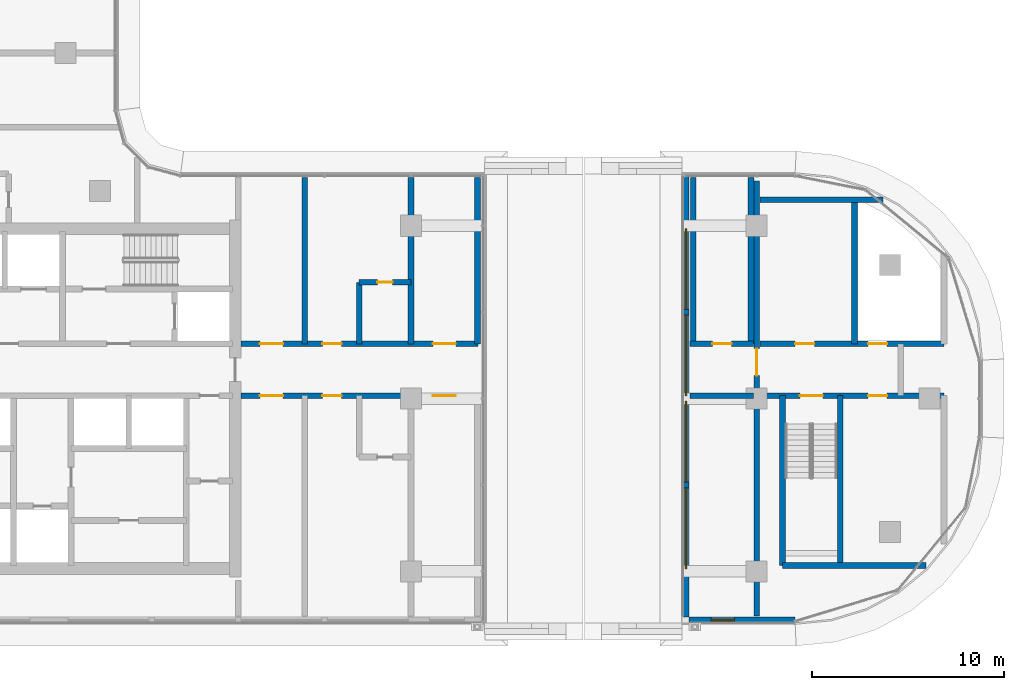
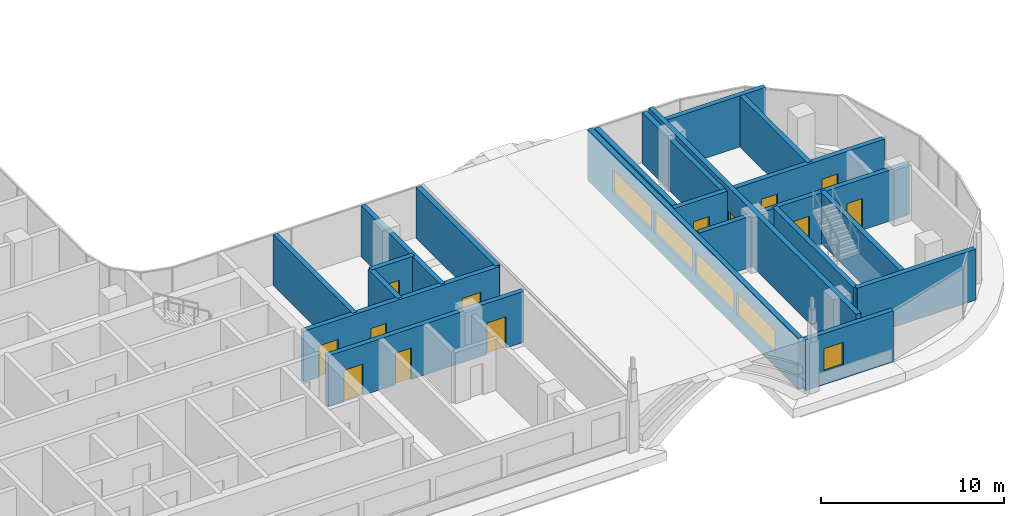
# One storey, part 12 of 23: 21 walls, 13 doors, 5 windows, 18 openings.
"""IFC4 building model written with IfcOpenShell, lengths in metres."""

from ifc_helpers import new_model, si_unit, direction, frame, frame_2d, origin, place, context, subcontext, project, spatial, rectangle, extrude, material, layer, layer_set, type_object, element, fill, save


model = new_model("IFC4")

# Units and contexts
model_context = context("Model", 3, precision=1e-05, world=origin(), true_north=direction((0.0, 1.0)))
body_context = subcontext(model_context, "Body", "Model", "MODEL_VIEW")
ifc_project = project(units=[si_unit("LENGTHUNIT", "METRE"), si_unit("AREAUNIT", "SQUARE_METRE"), si_unit("VOLUMEUNIT", "CUBIC_METRE"), si_unit("PLANEANGLEUNIT", "RADIAN"), si_unit("MASSUNIT", "GRAM", prefix="KILO")], contexts=[model_context])

# Site, building, storey
site_placement = place(None, origin())
site = spatial("IfcSite", under=ifc_project, at=site_placement, CompositionType="ELEMENT")
building_placement = place(site_placement, origin())
building = spatial("IfcBuilding", under=site, at=building_placement, Name="Ogive Portal Towers", CompositionType="ELEMENT")
storey_placement = place(building_placement, frame((0.0, 0.0, 179.199951171875)))
storey = spatial("IfcBuildingStorey", under=building, at=storey_placement, Name="L44", CompositionType="ELEMENT", Elevation=179.199951171875)

# Wall, openings, windows
ifc_material_1 = material(Name="Limestone cladding on lightweight block wall", Category="masonry")
ifc_layer_1 = layer(ifc_material_1, 0.300048828125)
ifc_layer_set_1 = layer_set([ifc_layer_1], Name="EXTERNAL WALL 300 STONE")
wall_type_1 = type_object("IfcWallType", Name="EXTERNAL WALL 300 STONE", PredefinedType="SOLIDWALL", material=ifc_layer_set_1)
wall_1_placement = place(storey_placement, frame((81.820068359375, 42.10009765625, 0.0), z_axis=(0.0, 0.0, 1.0), x_axis=(0.0, -1.0, 0.0)))
wall_1 = element("IfcWall", 1, at=wall_1_placement, inside=storey, type_object=wall_type_1, Name="A:L44:f34:r0:wall", PredefinedType="SOLIDWALL", context=body_context, shape_type="SweptSolid", body=[
    extrude(rectangle(XDim=22.97998046875, YDim=0.300048828125, at=frame_2d((11.489990234375, 0.0))), origin(), (0.0, 0.0, 1.0), 3.400146484375),
])
opening_1_placement = place(wall_1_placement, frame((2.75, 0.0, 0.89990234375)))
opening_1 = element("IfcOpeningElement", 2, at=opening_1_placement, cuts=wall_1, Name="Opening WN11", PredefinedType="OPENING", context=body_context, shape_type="SweptSolid", body=[
    extrude(rectangle(XDim=4.199951171875, YDim=1.5, at=frame_2d((2.10009765625, 0.75))), frame((0.0, 0.16015625, 0.0), z_axis=(0.0, -1.0, 0.0), x_axis=(1.0, 0.0, 0.0)), (0.0, 0.0, 1.0), 0.320068359375),
])
opening_2_placement = place(wall_1_placement, frame((7.25, 0.0, 0.89990234375)))
opening_2 = element("IfcOpeningElement", 3, at=opening_2_placement, cuts=wall_1, Name="Opening WN11", PredefinedType="OPENING", context=body_context, shape_type="SweptSolid", body=[
    extrude(rectangle(XDim=4.199951171875, YDim=1.5, at=frame_2d((2.10009765625, 0.75))), frame((0.0, 0.16015625, 0.0), z_axis=(0.0, -1.0, 0.0), x_axis=(1.0, 0.0, 0.0)), (0.0, 0.0, 1.0), 0.320068359375),
])
opening_3_placement = place(wall_1_placement, frame((11.75, 0.0, 0.89990234375)))
opening_3 = element("IfcOpeningElement", 4, at=opening_3_placement, cuts=wall_1, Name="Opening WN11", PredefinedType="OPENING", context=body_context, shape_type="SweptSolid", body=[
    extrude(rectangle(XDim=4.199951171875, YDim=1.5, at=frame_2d((2.10009765625, 0.75))), frame((0.0, 0.16015625, 0.0), z_axis=(0.0, -1.0, 0.0), x_axis=(1.0, 0.0, 0.0)), (0.0, 0.0, 1.0), 0.320068359375),
])
opening_4_placement = place(wall_1_placement, frame((16.25, 0.0, 0.89990234375)))
opening_4 = element("IfcOpeningElement", 5, at=opening_4_placement, cuts=wall_1, Name="Opening WN11", PredefinedType="OPENING", context=body_context, shape_type="SweptSolid", body=[
    extrude(rectangle(XDim=4.199951171875, YDim=1.5, at=frame_2d((2.10009765625, 0.75))), frame((0.0, 0.16015625, 0.0), z_axis=(0.0, -1.0, 0.0), x_axis=(1.0, 0.0, 0.0)), (0.0, 0.0, 1.0), 0.320068359375),
])
ifc_material_2 = material(Name="Glass, clear low-iron insulated glazing", Category="glass")
window_type_1 = type_object("IfcWindowType", Name="WINDOW RIBBON 4200x1500", PartitioningType="TRIPLE_PANEL_VERTICAL", PredefinedType="WINDOW", material=ifc_material_2)
window_1_placement = place(opening_1_placement, origin())
window_1 = element("IfcWindow", 6, at=window_1_placement, inside=storey, type_object=window_type_1, Name="A:L44:f34:r0:w1", OverallHeight=1.5, OverallWidth=4.199951171875, PartitioningType="SINGLE_PANEL", PredefinedType="WINDOW", context=body_context, shape_type="SweptSolid", body=[
    extrude(rectangle(XDim=4.199951171875, YDim=1.5, at=frame_2d((2.10009765625, 0.75))), frame((0.0, 0.030029296875, 0.0), z_axis=(0.0, -1.0, 0.0), x_axis=(1.0, 0.0, 0.0)), (0.0, 0.0, 1.0), 0.06005859375),
])
fill(opening_1, window_1)
window_2_placement = place(opening_2_placement, origin())
window_2 = element("IfcWindow", 7, at=window_2_placement, inside=storey, type_object=window_type_1, Name="A:L44:f34:r0:w2", OverallHeight=1.5, OverallWidth=4.199951171875, PartitioningType="SINGLE_PANEL", PredefinedType="WINDOW", context=body_context, shape_type="SweptSolid", body=[
    extrude(rectangle(XDim=4.199951171875, YDim=1.5, at=frame_2d((2.10009765625, 0.75))), frame((0.0, 0.030029296875, 0.0), z_axis=(0.0, -1.0, 0.0), x_axis=(1.0, 0.0, 0.0)), (0.0, 0.0, 1.0), 0.06005859375),
])
fill(opening_2, window_2)
window_3_placement = place(opening_3_placement, origin())
window_3 = element("IfcWindow", 8, at=window_3_placement, inside=storey, type_object=window_type_1, Name="A:L44:f34:r0:w3", OverallHeight=1.5, OverallWidth=4.199951171875, PartitioningType="SINGLE_PANEL", PredefinedType="WINDOW", context=body_context, shape_type="SweptSolid", body=[
    extrude(rectangle(XDim=4.199951171875, YDim=1.5, at=frame_2d((2.10009765625, 0.75))), frame((0.0, 0.030029296875, 0.0), z_axis=(0.0, -1.0, 0.0), x_axis=(1.0, 0.0, 0.0)), (0.0, 0.0, 1.0), 0.06005859375),
])
fill(opening_3, window_3)
window_4_placement = place(opening_4_placement, origin())
window_4 = element("IfcWindow", 9, at=window_4_placement, inside=storey, type_object=window_type_1, Name="A:L44:f34:r0:w4", OverallHeight=1.5, OverallWidth=4.199951171875, PartitioningType="SINGLE_PANEL", PredefinedType="WINDOW", context=body_context, shape_type="SweptSolid", body=[
    extrude(rectangle(XDim=4.199951171875, YDim=1.5, at=frame_2d((2.10009765625, 0.75))), frame((0.0, 0.030029296875, 0.0), z_axis=(0.0, -1.0, 0.0), x_axis=(1.0, 0.0, 0.0)), (0.0, 0.0, 1.0), 0.06005859375),
])
fill(opening_4, window_4)

# Wall, opening, window
wall_2_placement = place(storey_placement, frame((81.969970703125, 18.969970703125, 0.0), z_axis=(0.0, 0.0, 1.0), x_axis=(1.0, 0.0, 0.0)))
wall_2 = element("IfcWall", 10, at=wall_2_placement, inside=storey, type_object=wall_type_1, Name="A:L44:f35:r0:wall", PredefinedType="SOLIDWALL", context=body_context, shape_type="SweptSolid", body=[
    extrude(rectangle(XDim=5.51806640625, YDim=0.300048828125, at=frame_2d((2.759033203125, 0.0))), origin(), (0.0, 0.0, 1.0), 3.400146484375),
])
opening_5_placement = place(wall_2_placement, frame((1.1650390625, 0.0, 0.89990234375)))
opening_5 = element("IfcOpeningElement", 11, at=opening_5_placement, cuts=wall_2, Name="Opening WN9", PredefinedType="OPENING", context=body_context, shape_type="SweptSolid", body=[
    extrude(rectangle(XDim=1.199951171875, YDim=1.5, at=frame_2d((0.60009765625, 0.75))), frame((0.0, 0.16015625, 0.0), z_axis=(0.0, -1.0, 0.0), x_axis=(1.0, 0.0, 0.0)), (0.0, 0.0, 1.0), 0.320068359375),
])
window_type_2 = type_object("IfcWindowType", Name="WINDOW HOTEL CASEMENT 1200x1500", PartitioningType="DOUBLE_PANEL_VERTICAL", PredefinedType="WINDOW", material=ifc_material_2)
window_5_placement = place(opening_5_placement, origin())
window_5 = element("IfcWindow", 12, at=window_5_placement, inside=storey, type_object=window_type_2, Name="A:L44:f35:r0:w0", OverallHeight=1.5, OverallWidth=1.199951171875, PartitioningType="SINGLE_PANEL", PredefinedType="WINDOW", context=body_context, shape_type="SweptSolid", body=[
    extrude(rectangle(XDim=1.199951171875, YDim=1.5, at=frame_2d((0.60009765625, 0.75))), frame((0.0, 0.030029296875, 0.0), z_axis=(0.0, -1.0, 0.0), x_axis=(1.0, 0.0, 0.0)), (0.0, 0.0, 1.0), 0.06005859375),
])
fill(opening_5, window_5)

# Wall, opening, door
ifc_material_3 = material(Name="Concrete C60/75", Category="concrete")
ifc_layer_2 = layer(ifc_material_3, 0.300048828125)
ifc_layer_set_2 = layer_set([ifc_layer_2], Name="REVEAL WALL 300 C60")
wall_type_2 = type_object("IfcWallType", Name="REVEAL WALL 300 C60", PredefinedType="SHEAR", material=ifc_layer_set_2)
wall_3_placement = place(storey_placement, frame((85.5, 19.169921875, 0.0), z_axis=(0.0, 0.0, 1.0), x_axis=(0.0, 1.0, 0.0)))
wall_3 = element("IfcWall", 13, at=wall_3_placement, inside=storey, type_object=wall_type_2, Name="Portal reveal wall L44", PredefinedType="SHEAR", context=body_context, shape_type="SweptSolid", body=[
    extrude(rectangle(XDim=22.66015625, YDim=0.300048828125, at=frame_2d((11.330078125, 0.0))), origin(), (0.0, 0.0, 1.0), 3.699951171875),
])
opening_6_placement = place(wall_3_placement, frame((12.530029296875, 0.0, 0.0)))
opening_6 = element("IfcOpeningElement", 14, at=opening_6_placement, cuts=wall_3, Name="Opening D19-057", PredefinedType="OPENING", context=body_context, shape_type="SweptSolid", body=[
    extrude(rectangle(XDim=1.39990234375, YDim=2.10009765625, at=frame_2d((0.699951171875, 1.050048828125))), frame((0.0, 0.16015625, 0.0), z_axis=(0.0, -1.0, 0.0), x_axis=(1.0, 0.0, 0.0)), (0.0, 0.0, 1.0), 0.320068359375),
])
ifc_material_4 = material(Name="Steel fire door", Category="steel")
door_type_1 = type_object("IfcDoorType", Name="DT-STAIR-1400x2100-FD90S", OperationType="SINGLE_SWING_LEFT", PredefinedType="DOOR", material=ifc_material_4)
door_1_placement = place(opening_6_placement, origin())
door_1 = element("IfcDoor", 15, at=door_1_placement, inside=storey, type_object=door_type_1, Name="Door D19-057", OperationType="SINGLE_SWING_RIGHT", OverallHeight=2.10009765625, OverallWidth=1.39990234375, PredefinedType="DOOR", context=body_context, shape_type="SweptSolid", body=[
    extrude(rectangle(XDim=1.39990234375, YDim=2.10009765625, at=frame_2d((0.699951171875, 1.050048828125))), frame((0.0, 0.02490234375, 0.0), z_axis=(0.0, -1.0, 0.0), x_axis=(1.0, 0.0, 0.0)), (0.0, 0.0, 1.0), 0.050048828125),
])
fill(opening_6, door_1)

# Wall
ifc_material_5 = material(Name="Concrete C50/60", Category="concrete")
ifc_layer_3 = layer(ifc_material_5, 0.300048828125)
ifc_layer_set_3 = layer_set([ifc_layer_3], Name="STAIR WALL 300 C50")
wall_type_3 = type_object("IfcWallType", Name="STAIR WALL 300 C50", PredefinedType="SHEAR", material=ifc_layer_set_3)
wall_4_placement = place(storey_placement, frame((86.85009765625, 21.800048828125, 0.0), z_axis=(0.0, 0.0, 1.0), x_axis=(1.0, 0.0, 0.0)))
element("IfcWall", 16, at=wall_4_placement, inside=storey, type_object=wall_type_3, Name="Stair wall ST-A4 L44", PredefinedType="SHEAR", context=body_context, shape_type="SweptSolid", body=[
    extrude(rectangle(XDim=7.473876953125, YDim=0.300048828125, at=frame_2d((3.73681640625, 0.0))), origin(), (0.0, 0.0, 1.0), 3.400146484375),
])

# Wall, openings, doors
wall_5_placement = place(storey_placement, frame((85.669921875, 30.64990234375, 0.0), z_axis=(0.0, 0.0, 1.0), x_axis=(1.0, 0.0, 0.0)))
wall_5 = element("IfcWall", 17, at=wall_5_placement, inside=storey, type_object=wall_type_3, Name="Stair wall ST-A4 L44", PredefinedType="SHEAR", context=body_context, shape_type="SweptSolid", body=[
    extrude(rectangle(XDim=9.580078125, YDim=0.300048828125, at=frame_2d((4.7900390625, 0.0))), origin(), (0.0, 0.0, 1.0), 3.400146484375),
])
opening_7_placement = place(wall_5_placement, frame((2.080078125, 0.0, 0.0)))
opening_7 = element("IfcOpeningElement", 18, at=opening_7_placement, cuts=wall_5, Name="Opening D19-052", PredefinedType="OPENING", context=body_context, shape_type="SweptSolid", body=[
    extrude(rectangle(XDim=1.199951171875, YDim=2.10009765625, at=frame_2d((0.60009765625, 1.050048828125))), frame((0.0, 0.16015625, 0.0), z_axis=(0.0, -1.0, 0.0), x_axis=(1.0, 0.0, 0.0)), (0.0, 0.0, 1.0), 0.320068359375),
])
opening_8_placement = place(wall_5_placement, frame((5.6298828125, 0.0, 0.0)))
opening_8 = element("IfcOpeningElement", 19, at=opening_8_placement, cuts=wall_5, Name="Opening D19-055", PredefinedType="OPENING", context=body_context, shape_type="SweptSolid", body=[
    extrude(rectangle(XDim=1.0, YDim=2.10009765625, at=frame_2d((0.5, 1.050048828125))), frame((0.0, 0.16015625, 0.0), z_axis=(0.0, -1.0, 0.0), x_axis=(1.0, 0.0, 0.0)), (0.0, 0.0, 1.0), 0.320068359375),
])
door_type_2 = type_object("IfcDoorType", Name="DT-SERVICE-1000x2100-FD90S", OperationType="SINGLE_SWING_LEFT", PredefinedType="DOOR", material=ifc_material_4)
door_2_placement = place(opening_8_placement, origin())
door_2 = element("IfcDoor", 20, at=door_2_placement, inside=storey, type_object=door_type_2, Name="Door D19-055", OperationType="SINGLE_SWING_LEFT", OverallHeight=2.10009765625, OverallWidth=1.0, PredefinedType="DOOR", context=body_context, shape_type="SweptSolid", body=[
    extrude(rectangle(XDim=1.0, YDim=2.10009765625, at=frame_2d((0.5, 1.050048828125))), frame((0.0, 0.02490234375, 0.0), z_axis=(0.0, -1.0, 0.0), x_axis=(1.0, 0.0, 0.0)), (0.0, 0.0, 1.0), 0.050048828125),
])
fill(opening_8, door_2)
door_type_3 = type_object("IfcDoorType", Name="DT-STAIR-1200x2100-FD90S", OperationType="SINGLE_SWING_LEFT", PredefinedType="DOOR", material=ifc_material_4)
door_3_placement = place(opening_7_placement, origin())
door_3 = element("IfcDoor", 21, at=door_3_placement, inside=storey, type_object=door_type_3, Name="Door D19-052", OperationType="SINGLE_SWING_LEFT", OverallHeight=2.10009765625, OverallWidth=1.199951171875, PredefinedType="DOOR", context=body_context, shape_type="SweptSolid", body=[
    extrude(rectangle(XDim=1.199951171875, YDim=2.10009765625, at=frame_2d((0.60009765625, 1.050048828125))), frame((0.0, 0.02490234375, 0.0), z_axis=(0.0, -1.0, 0.0), x_axis=(1.0, 0.0, 0.0)), (0.0, 0.0, 1.0), 0.050048828125),
])
fill(opening_7, door_3)

# Walls
for number, where, z_axis, x_axis, name in (
    (22, (86.85009765625, 21.800048828125, 0.0), (0.0, 0.0, 1.0), (0.0, 1.0, 0.0), "Stair wall ST-A4 L44"),
    (23, (89.85009765625, 21.800048828125, 0.0), (0.0, 0.0, 1.0), (0.0, 1.0, 0.0), "Stair wall ST-A4 L44"),
):
    element("IfcWall", number, at=place(storey_placement, frame(where, z_axis=z_axis, x_axis=x_axis)), inside=storey, type_object=wall_type_3, Name=name, PredefinedType="SHEAR", context=body_context, shape_type="SweptSolid", body=[
        extrude(rectangle(XDim=8.849853515625, YDim=0.300048828125, at=frame_2d((4.4248046875, 0.0))), origin(), (0.0, 0.0, 1.0), 3.400146484375),
    ])

# Wall, openings, doors
ifc_material_6 = material(Name="Gypsum board partition on steel studs", Category="steel")
ifc_layer_4 = layer(ifc_material_6, 0.300048828125)
ifc_layer_set_4 = layer_set([ifc_layer_4], Name="WT-PART-300-EI 120")
wall_type_4 = type_object("IfcWallType", Name="WT-PART-300-EI 120", PredefinedType="PARTITIONING", material=ifc_layer_set_4)
wall_6_placement = place(storey_placement, frame((58.64990234375, 30.64990234375, 0.0), z_axis=(0.0, 0.0, 1.0), x_axis=(1.0, 0.0, 0.0)))
wall_6 = element("IfcWall", 24, at=wall_6_placement, inside=storey, type_object=wall_type_4, Name="Wall L44:w003", PredefinedType="PARTITIONING", context=body_context, shape_type="SweptSolid", body=[
    extrude(rectangle(XDim=12.330078125, YDim=0.300048828125, at=frame_2d((6.1650390625, 0.0))), origin(), (0.0, 0.0, 1.0), 3.400146484375),
])
opening_9_placement = place(wall_6_placement, frame((0.985107421875, 0.0, 0.0)))
opening_9 = element("IfcOpeningElement", 25, at=opening_9_placement, cuts=wall_6, Name="Opening D19-029", PredefinedType="OPENING", context=body_context, shape_type="SweptSolid", body=[
    extrude(rectangle(XDim=1.199951171875, YDim=2.10009765625, at=frame_2d((0.60009765625, 1.050048828125))), frame((0.0, 0.16015625, 0.0), z_axis=(0.0, -1.0, 0.0), x_axis=(1.0, 0.0, 0.0)), (0.0, 0.0, 1.0), 0.320068359375),
])
opening_10_placement = place(wall_6_placement, frame((4.235107421875, 0.0, 0.0)))
opening_10 = element("IfcOpeningElement", 26, at=opening_10_placement, cuts=wall_6, Name="Opening D19-031", PredefinedType="OPENING", context=body_context, shape_type="SweptSolid", body=[
    extrude(rectangle(XDim=1.0, YDim=2.10009765625, at=frame_2d((0.5, 1.050048828125))), frame((0.0, 0.16015625, 0.0), z_axis=(0.0, -1.0, 0.0), x_axis=(1.0, 0.0, 0.0)), (0.0, 0.0, 1.0), 0.320068359375),
])
opening_11_placement = place(wall_6_placement, frame((9.985107421875, 0.0, 0.0)))
opening_11 = element("IfcOpeningElement", 27, at=opening_11_placement, cuts=wall_6, Name="Opening D19-033", PredefinedType="OPENING", context=body_context, shape_type="SweptSolid", body=[
    extrude(rectangle(XDim=1.199951171875, YDim=2.10009765625, at=frame_2d((0.60009765625, 1.050048828125))), frame((0.0, 0.16015625, 0.0), z_axis=(0.0, -1.0, 0.0), x_axis=(1.0, 0.0, 0.0)), (0.0, 0.0, 1.0), 0.320068359375),
])
door_type_4 = type_object("IfcDoorType", Name="DT-ENTRY-1000x2100-FD90S", OperationType="SINGLE_SWING_LEFT", PredefinedType="DOOR", material=ifc_material_4)
door_4_placement = place(opening_10_placement, origin())
door_4 = element("IfcDoor", 28, at=door_4_placement, inside=storey, type_object=door_type_4, Name="Door D19-031", OperationType="SINGLE_SWING_LEFT", OverallHeight=2.10009765625, OverallWidth=1.0, PredefinedType="DOOR", context=body_context, shape_type="SweptSolid", body=[
    extrude(rectangle(XDim=1.0, YDim=2.10009765625, at=frame_2d((0.5, 1.050048828125))), frame((0.0, 0.02490234375, 0.0), z_axis=(0.0, -1.0, 0.0), x_axis=(1.0, 0.0, 0.0)), (0.0, 0.0, 1.0), 0.050048828125),
])
fill(opening_10, door_4)
door_type_5 = type_object("IfcDoorType", Name="DT-ENTRY-1200x2100-FD90S", OperationType="SINGLE_SWING_LEFT", PredefinedType="DOOR", material=ifc_material_4)
door_5_placement = place(opening_9_placement, origin())
door_5 = element("IfcDoor", 29, at=door_5_placement, inside=storey, type_object=door_type_5, Name="Door D19-029", OperationType="SINGLE_SWING_LEFT", OverallHeight=2.10009765625, OverallWidth=1.199951171875, PredefinedType="DOOR", context=body_context, shape_type="SweptSolid", body=[
    extrude(rectangle(XDim=1.199951171875, YDim=2.10009765625, at=frame_2d((0.60009765625, 1.050048828125))), frame((0.0, 0.02490234375, 0.0), z_axis=(0.0, -1.0, 0.0), x_axis=(1.0, 0.0, 0.0)), (0.0, 0.0, 1.0), 0.050048828125),
])
fill(opening_9, door_5)
door_6_placement = place(opening_11_placement, origin())
door_6 = element("IfcDoor", 30, at=door_6_placement, inside=storey, type_object=door_type_5, Name="Door D19-033", OperationType="SINGLE_SWING_RIGHT", OverallHeight=2.10009765625, OverallWidth=1.199951171875, PredefinedType="DOOR", context=body_context, shape_type="SweptSolid", body=[
    extrude(rectangle(XDim=1.199951171875, YDim=2.10009765625, at=frame_2d((0.60009765625, 1.050048828125))), frame((0.0, 0.02490234375, 0.0), z_axis=(0.0, -1.0, 0.0), x_axis=(1.0, 0.0, 0.0)), (0.0, 0.0, 1.0), 0.050048828125),
])
fill(opening_11, door_6)

# Wall
wall_7_placement = place(storey_placement, frame((82.02001953125, 30.64990234375, 0.0), z_axis=(0.0, 0.0, 1.0), x_axis=(1.0, 0.0, 0.0)))
element("IfcWall", 31, at=wall_7_placement, inside=storey, type_object=wall_type_4, Name="Wall L44:w004", PredefinedType="PARTITIONING", context=body_context, shape_type="SweptSolid", body=[
    extrude(rectangle(XDim=3.31005859375, YDim=0.300048828125, at=frame_2d((1.655029296875, 0.0))), origin(), (0.0, 0.0, 1.0), 3.400146484375),
])

# Wall, openings, doors
wall_8_placement = place(storey_placement, frame((58.64990234375, 33.35009765625, 0.0), z_axis=(0.0, 0.0, 1.0), x_axis=(1.0, 0.0, 0.0)))
wall_8 = element("IfcWall", 32, at=wall_8_placement, inside=storey, type_object=wall_type_4, Name="Wall L44:w006", PredefinedType="PARTITIONING", context=body_context, shape_type="SweptSolid", body=[
    extrude(rectangle(XDim=12.330078125, YDim=0.300048828125, at=frame_2d((6.1650390625, 0.0))), origin(), (0.0, 0.0, 1.0), 3.400146484375),
])
opening_12_placement = place(wall_8_placement, frame((0.985107421875, 0.0, 0.0)))
opening_12 = element("IfcOpeningElement", 33, at=opening_12_placement, cuts=wall_8, Name="Opening D19-026", PredefinedType="OPENING", context=body_context, shape_type="SweptSolid", body=[
    extrude(rectangle(XDim=1.199951171875, YDim=2.10009765625, at=frame_2d((0.60009765625, 1.050048828125))), frame((0.0, 0.16015625, 0.0), z_axis=(0.0, -1.0, 0.0), x_axis=(1.0, 0.0, 0.0)), (0.0, 0.0, 1.0), 0.320068359375),
])
opening_13_placement = place(wall_8_placement, frame((4.235107421875, 0.0, 0.0)))
opening_13 = element("IfcOpeningElement", 34, at=opening_13_placement, cuts=wall_8, Name="Opening D19-028", PredefinedType="OPENING", context=body_context, shape_type="SweptSolid", body=[
    extrude(rectangle(XDim=1.0, YDim=2.10009765625, at=frame_2d((0.5, 1.050048828125))), frame((0.0, 0.16015625, 0.0), z_axis=(0.0, -1.0, 0.0), x_axis=(1.0, 0.0, 0.0)), (0.0, 0.0, 1.0), 0.320068359375),
])
opening_14_placement = place(wall_8_placement, frame((9.985107421875, 0.0, 0.0)))
opening_14 = element("IfcOpeningElement", 35, at=opening_14_placement, cuts=wall_8, Name="Opening D19-032", PredefinedType="OPENING", context=body_context, shape_type="SweptSolid", body=[
    extrude(rectangle(XDim=1.199951171875, YDim=2.10009765625, at=frame_2d((0.60009765625, 1.050048828125))), frame((0.0, 0.16015625, 0.0), z_axis=(0.0, -1.0, 0.0), x_axis=(1.0, 0.0, 0.0)), (0.0, 0.0, 1.0), 0.320068359375),
])
door_7_placement = place(opening_13_placement, origin())
door_7 = element("IfcDoor", 36, at=door_7_placement, inside=storey, type_object=door_type_4, Name="Door D19-028", OperationType="SINGLE_SWING_LEFT", OverallHeight=2.10009765625, OverallWidth=1.0, PredefinedType="DOOR", context=body_context, shape_type="SweptSolid", body=[
    extrude(rectangle(XDim=1.0, YDim=2.10009765625, at=frame_2d((0.5, 1.050048828125))), frame((0.0, 0.02490234375, 0.0), z_axis=(0.0, -1.0, 0.0), x_axis=(1.0, 0.0, 0.0)), (0.0, 0.0, 1.0), 0.050048828125),
])
fill(opening_13, door_7)
door_8_placement = place(opening_12_placement, origin())
door_8 = element("IfcDoor", 37, at=door_8_placement, inside=storey, type_object=door_type_5, Name="Door D19-026", OperationType="SINGLE_SWING_LEFT", OverallHeight=2.10009765625, OverallWidth=1.199951171875, PredefinedType="DOOR", context=body_context, shape_type="SweptSolid", body=[
    extrude(rectangle(XDim=1.199951171875, YDim=2.10009765625, at=frame_2d((0.60009765625, 1.050048828125))), frame((0.0, 0.02490234375, 0.0), z_axis=(0.0, -1.0, 0.0), x_axis=(1.0, 0.0, 0.0)), (0.0, 0.0, 1.0), 0.050048828125),
])
fill(opening_12, door_8)
door_9_placement = place(opening_14_placement, origin())
door_9 = element("IfcDoor", 38, at=door_9_placement, inside=storey, type_object=door_type_5, Name="Door D19-032", OperationType="SINGLE_SWING_LEFT", OverallHeight=2.10009765625, OverallWidth=1.199951171875, PredefinedType="DOOR", context=body_context, shape_type="SweptSolid", body=[
    extrude(rectangle(XDim=1.199951171875, YDim=2.10009765625, at=frame_2d((0.60009765625, 1.050048828125))), frame((0.0, 0.02490234375, 0.0), z_axis=(0.0, -1.0, 0.0), x_axis=(1.0, 0.0, 0.0)), (0.0, 0.0, 1.0), 0.050048828125),
])
fill(opening_14, door_9)

# Wall, opening, door
wall_9_placement = place(storey_placement, frame((82.02001953125, 33.35009765625, 0.0), z_axis=(0.0, 0.0, 1.0), x_axis=(1.0, 0.0, 0.0)))
wall_9 = element("IfcWall", 39, at=wall_9_placement, inside=storey, type_object=wall_type_4, Name="Wall L44:w007", PredefinedType="PARTITIONING", context=body_context, shape_type="SweptSolid", body=[
    extrude(rectangle(XDim=3.31005859375, YDim=0.300048828125, at=frame_2d((1.655029296875, 0.0))), origin(), (0.0, 0.0, 1.0), 3.400146484375),
])
opening_15_placement = place(wall_9_placement, frame((1.179931640625, 0.0, 0.0)))
opening_15 = element("IfcOpeningElement", 40, at=opening_15_placement, cuts=wall_9, Name="Opening D19-034", PredefinedType="OPENING", context=body_context, shape_type="SweptSolid", body=[
    extrude(rectangle(XDim=1.0, YDim=2.10009765625, at=frame_2d((0.5, 1.050048828125))), frame((0.0, 0.16015625, 0.0), z_axis=(0.0, -1.0, 0.0), x_axis=(1.0, 0.0, 0.0)), (0.0, 0.0, 1.0), 0.320068359375),
])
door_10_placement = place(opening_15_placement, origin())
door_10 = element("IfcDoor", 41, at=door_10_placement, inside=storey, type_object=door_type_4, Name="Door D19-034", OperationType="SINGLE_SWING_RIGHT", OverallHeight=2.10009765625, OverallWidth=1.0, PredefinedType="DOOR", context=body_context, shape_type="SweptSolid", body=[
    extrude(rectangle(XDim=1.0, YDim=2.10009765625, at=frame_2d((0.5, 1.050048828125))), frame((0.0, 0.02490234375, 0.0), z_axis=(0.0, -1.0, 0.0), x_axis=(1.0, 0.0, 0.0)), (0.0, 0.0, 1.0), 0.050048828125),
])
fill(opening_15, door_10)

# Wall, openings, doors
wall_10_placement = place(storey_placement, frame((85.669921875, 33.35009765625, 0.0), z_axis=(0.0, 0.0, 1.0), x_axis=(1.0, 0.0, 0.0)))
wall_10 = element("IfcWall", 42, at=wall_10_placement, inside=storey, type_object=wall_type_4, Name="Wall L44:w008", PredefinedType="PARTITIONING", context=body_context, shape_type="SweptSolid", body=[
    extrude(rectangle(XDim=9.580078125, YDim=0.300048828125, at=frame_2d((4.7900390625, 0.0))), origin(), (0.0, 0.0, 1.0), 3.400146484375),
])
opening_16_placement = place(wall_10_placement, frame((1.830078125, 0.0, 0.0)))
opening_16 = element("IfcOpeningElement", 43, at=opening_16_placement, cuts=wall_10, Name="Opening D19-053", PredefinedType="OPENING", context=body_context, shape_type="SweptSolid", body=[
    extrude(rectangle(XDim=1.0, YDim=2.10009765625, at=frame_2d((0.5, 1.050048828125))), frame((0.0, 0.16015625, 0.0), z_axis=(0.0, -1.0, 0.0), x_axis=(1.0, 0.0, 0.0)), (0.0, 0.0, 1.0), 0.320068359375),
])
opening_17_placement = place(wall_10_placement, frame((5.6298828125, 0.0, 0.0)))
opening_17 = element("IfcOpeningElement", 44, at=opening_17_placement, cuts=wall_10, Name="Opening D19-054", PredefinedType="OPENING", context=body_context, shape_type="SweptSolid", body=[
    extrude(rectangle(XDim=1.0, YDim=2.10009765625, at=frame_2d((0.5, 1.050048828125))), frame((0.0, 0.16015625, 0.0), z_axis=(0.0, -1.0, 0.0), x_axis=(1.0, 0.0, 0.0)), (0.0, 0.0, 1.0), 0.320068359375),
])
door_11_placement = place(opening_16_placement, origin())
door_11 = element("IfcDoor", 45, at=door_11_placement, inside=storey, type_object=door_type_2, Name="Door D19-053", OperationType="SINGLE_SWING_LEFT", OverallHeight=2.10009765625, OverallWidth=1.0, PredefinedType="DOOR", context=body_context, shape_type="SweptSolid", body=[
    extrude(rectangle(XDim=1.0, YDim=2.10009765625, at=frame_2d((0.5, 1.050048828125))), frame((0.0, 0.02490234375, 0.0), z_axis=(0.0, -1.0, 0.0), x_axis=(1.0, 0.0, 0.0)), (0.0, 0.0, 1.0), 0.050048828125),
])
fill(opening_16, door_11)
door_12_placement = place(opening_17_placement, origin())
door_12 = element("IfcDoor", 46, at=door_12_placement, inside=storey, type_object=door_type_2, Name="Riser access door D19-054", OperationType="SINGLE_SWING_RIGHT", OverallHeight=2.10009765625, OverallWidth=1.0, PredefinedType="DOOR", context=body_context, shape_type="SweptSolid", body=[
    extrude(rectangle(XDim=1.0, YDim=2.10009765625, at=frame_2d((0.5, 1.050048828125))), frame((0.0, 0.02490234375, 0.0), z_axis=(0.0, -1.0, 0.0), x_axis=(1.0, 0.0, 0.0)), (0.0, 0.0, 1.0), 0.050048828125),
])
fill(opening_17, door_12)

# Wall, opening, door
ifc_layer_5 = layer(ifc_material_6, 0.300048828125)
ifc_layer_set_5 = layer_set([ifc_layer_5], Name="WT-PART-300-EI 60")
wall_type_5 = type_object("IfcWallType", Name="WT-PART-300-EI 60", PredefinedType="PARTITIONING", material=ifc_layer_set_5)
wall_11_placement = place(storey_placement, frame((64.800048828125, 36.550048828125, 0.0), z_axis=(0.0, 0.0, 1.0), x_axis=(1.0, 0.0, 0.0)))
wall_11 = element("IfcWall", 47, at=wall_11_placement, inside=storey, type_object=wall_type_5, Name="Wall L44:w009", PredefinedType="PARTITIONING", context=body_context, shape_type="SweptSolid", body=[
    extrude(rectangle(XDim=2.699951171875, YDim=0.300048828125, at=frame_2d((1.35009765625, 0.0))), origin(), (0.0, 0.0, 1.0), 3.400146484375),
])
opening_18_placement = place(wall_11_placement, frame((0.949951171875, 0.0, 0.0)))
opening_18 = element("IfcOpeningElement", 48, at=opening_18_placement, cuts=wall_11, Name="Opening D19-027", PredefinedType="OPENING", context=body_context, shape_type="SweptSolid", body=[
    extrude(rectangle(XDim=0.800048828125, YDim=2.10009765625, at=frame_2d((0.39990234375, 1.050048828125))), frame((0.0, 0.16015625, 0.0), z_axis=(0.0, -1.0, 0.0), x_axis=(1.0, 0.0, 0.0)), (0.0, 0.0, 1.0), 0.320068359375),
])
door_type_6 = type_object("IfcDoorType", Name="DT-BATH-800x2100-FD60S", OperationType="SINGLE_SWING_LEFT", PredefinedType="DOOR", material=ifc_material_4)
door_13_placement = place(opening_18_placement, origin())
door_13 = element("IfcDoor", 49, at=door_13_placement, inside=storey, type_object=door_type_6, Name="Door D19-027", OperationType="SINGLE_SWING_RIGHT", OverallHeight=2.10009765625, OverallWidth=0.800048828125, PredefinedType="DOOR", context=body_context, shape_type="SweptSolid", body=[
    extrude(rectangle(XDim=0.800048828125, YDim=2.10009765625, at=frame_2d((0.39990234375, 1.050048828125))), frame((0.0, 0.02490234375, 0.0), z_axis=(0.0, -1.0, 0.0), x_axis=(1.0, 0.0, 0.0)), (0.0, 0.0, 1.0), 0.050048828125),
])
fill(opening_18, door_13)

# Walls
wall_12_placement = place(storey_placement, frame((85.669921875, 40.85009765625, 0.0), z_axis=(0.0, 0.0, 1.0), x_axis=(1.0, 0.0, 0.0)))
element("IfcWall", 50, at=wall_12_placement, inside=storey, type_object=wall_type_5, Name="Wall L44:w011", PredefinedType="PARTITIONING", context=body_context, shape_type="SweptSolid", body=[
    extrude(rectangle(XDim=6.422119140625, YDim=0.300048828125, at=frame_2d((3.2109375, 0.0))), origin(), (0.0, 0.0, 1.0), 3.400146484375),
])
wall_13_placement = place(storey_placement, frame((61.969970703125, 33.35009765625, 0.0), z_axis=(0.0, 0.0, 1.0), x_axis=(0.0, 1.0, 0.0)))
element("IfcWall", 51, at=wall_13_placement, inside=storey, type_object=wall_type_5, Name="Wall L44:w046", PredefinedType="PARTITIONING", context=body_context, shape_type="SweptSolid", body=[
    extrude(rectangle(XDim=8.659912109375, YDim=0.300048828125, at=frame_2d((4.330078125, 0.0))), origin(), (0.0, 0.0, 1.0), 3.400146484375),
])
wall_14_placement = place(storey_placement, frame((64.800048828125, 33.35009765625, 0.0), z_axis=(0.0, 0.0, 1.0), x_axis=(0.0, 1.0, 0.0)))
element("IfcWall", 52, at=wall_14_placement, inside=storey, type_object=wall_type_5, Name="Wall L44:w048", PredefinedType="PARTITIONING", context=body_context, shape_type="SweptSolid", body=[
    extrude(rectangle(XDim=3.199951171875, YDim=0.300048828125, at=frame_2d((1.60009765625, 0.0))), origin(), (0.0, 0.0, 1.0), 3.400146484375),
])
for number, where, z_axis, x_axis, name in (
    (53, (67.5, 33.35009765625, 0.0), (0.0, 0.0, 1.0), (0.0, 1.0, 0.0), "Wall L44:w050"),
    (54, (70.969970703125, 33.35009765625, 0.0), (0.0, 0.0, 1.0), (0.0, 1.0, 0.0), "Wall L44:w052"),
    (55, (82.199951171875, 33.35009765625, 0.0), (0.0, 0.0, 1.0), (0.0, 1.0, 0.0), "Wall L44:w053"),
    (56, (85.199951171875, 33.35009765625, 0.0), (0.0, 0.0, 1.0), (0.0, 1.0, 0.0), "Wall L44:w054"),
):
    element("IfcWall", number, at=place(storey_placement, frame(where, z_axis=z_axis, x_axis=x_axis)), inside=storey, type_object=wall_type_5, Name=name, PredefinedType="PARTITIONING", context=body_context, shape_type="SweptSolid", body=[
        extrude(rectangle(XDim=8.659912109375, YDim=0.300048828125, at=frame_2d((4.330078125, 0.0))), origin(), (0.0, 0.0, 1.0), 3.400146484375),
    ])
wall_15_placement = place(storey_placement, frame((90.60009765625, 33.35009765625, 0.0), z_axis=(0.0, 0.0, 1.0), x_axis=(0.0, 1.0, 0.0)))
element("IfcWall", 57, at=wall_15_placement, inside=storey, type_object=wall_type_5, Name="Wall L44:w057", PredefinedType="PARTITIONING", context=body_context, shape_type="SweptSolid", body=[
    extrude(rectangle(XDim=7.5, YDim=0.300048828125, at=frame_2d((3.75, 0.0))), origin(), (0.0, 0.0, 1.0), 3.400146484375),
])

save(model, "model.ifc")
